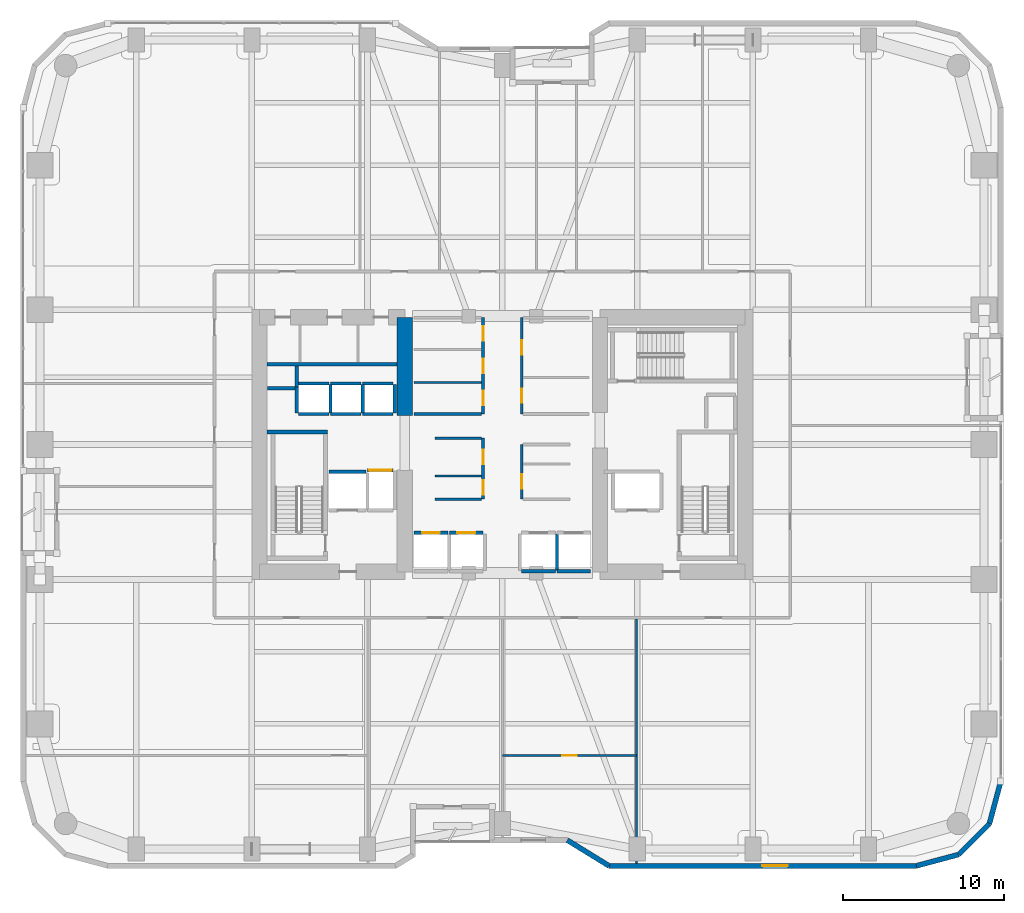
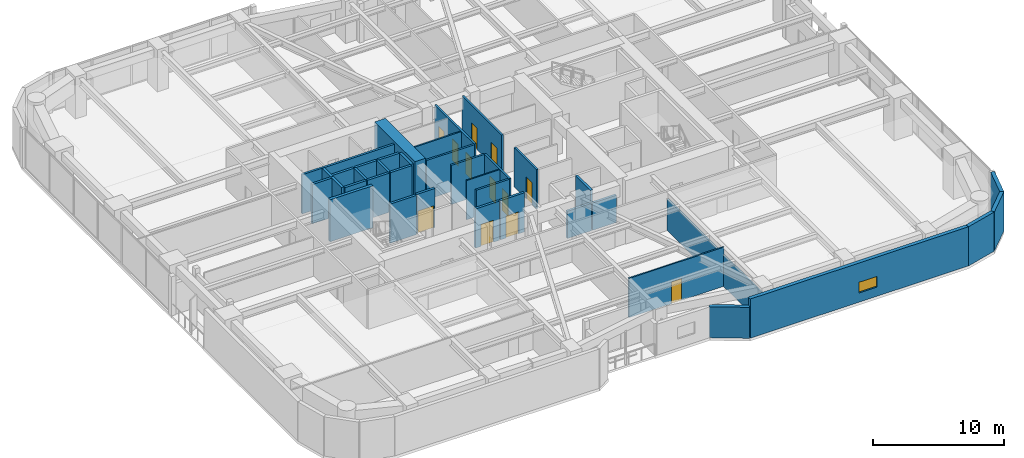
# One storey, part 23 of 28: 38 walls, 12 doors, 1 window, 13 openings.
"""IFC4 building model written with IfcOpenShell, lengths in metres."""

from ifc_helpers import new_model, si_unit, direction, frame, frame_2d, origin, place, context, subcontext, project, spatial, rectangle, extrude, material, layer, layer_set, type_object, element, fill, save


model = new_model("IFC4")

# Units and contexts
model_context = context("Model", 3, precision=1e-05, world=origin(), true_north=direction((0.0, 1.0)))
body_context = subcontext(model_context, "Body", "Model", "MODEL_VIEW")
ifc_project = project(units=[si_unit("LENGTHUNIT", "METRE"), si_unit("AREAUNIT", "SQUARE_METRE"), si_unit("VOLUMEUNIT", "CUBIC_METRE"), si_unit("PLANEANGLEUNIT", "RADIAN"), si_unit("MASSUNIT", "GRAM", prefix="KILO")], contexts=[model_context])

# Site, building, storey
site_placement = place(None, origin())
site = spatial("IfcSite", under=ifc_project, at=site_placement, CompositionType="ELEMENT")
building_placement = place(site_placement, origin())
building = spatial("IfcBuilding", under=site, at=building_placement, Name="Kiyonajd Concourse Tower", CompositionType="ELEMENT")
storey_placement = place(building_placement, frame((0.0, 0.0, 37.199951171875)))
storey = spatial("IfcBuildingStorey", under=building, at=storey_placement, Name="L10", CompositionType="ELEMENT", Elevation=37.199951171875)

# Walls
ifc_material_1 = material(Name="Concrete C80/95", Category="concrete")
ifc_layer_1 = layer(ifc_material_1, 0.949951171875)
ifc_layer_set_1 = layer_set([ifc_layer_1], Name="Concrete C80/95")
wall_type_1 = type_object("IfcWallType", Name="WL-CORE-950", PredefinedType="SHEAR", material=ifc_layer_set_1)
wall_1_placement = place(storey_placement, frame((41.925048828125, 37.800048828125, 0.0), z_axis=(0.0, 0.0, 1.0), x_axis=(0.0, 1.0, 0.0)))
element("IfcWall", 1, at=wall_1_placement, inside=storey, type_object=wall_type_1, Name="L10 West Core Inner North Shear Wall", PredefinedType="SHEAR", context=body_context, shape_type="SweptSolid", body=[
    extrude(rectangle(XDim=6.125, YDim=0.949951171875, at=frame_2d((3.0625, 0.0))), origin(), (0.0, 0.0, 1.0), 3.900146484375),
])
ifc_material_2 = material(Name="Precast concrete C50/60", Category="concrete")
ifc_layer_2 = layer(ifc_material_2, 0.320068359375)
ifc_layer_set_2 = layer_set([ifc_layer_2], Name="Precast concrete C50/60")
wall_type_2 = type_object("IfcWallType", Name="WL-EXT-320", PredefinedType="SOLIDWALL", material=ifc_layer_set_2)
wall_2_placement = place(storey_placement, frame((79.0400390625, 15.02099609375, 0.0), z_axis=(0.0, 0.0, 1.0), x_axis=(-0.25869736047, -0.965958423373, 0.0)))
element("IfcWall", 2, at=wall_2_placement, inside=storey, type_object=wall_type_2, Name="L10 Exterior Concrete Frame Wall 25", PredefinedType="SOLIDWALL", context=body_context, shape_type="SweptSolid", body=[
    extrude(rectangle(XDim=2.731201171875, YDim=0.320068359375, at=frame_2d((1.36572265625, 0.0))), origin(), (0.0, 0.0, 1.0), 3.64013671875),
])
wall_3_placement = place(storey_placement, frame((78.33349609375, 12.3828125, 0.0), z_axis=(0.0, 0.0, 1.0), x_axis=(-0.707106781187, -0.707106781187, 0.0)))
element("IfcWall", 3, at=wall_3_placement, inside=storey, type_object=wall_type_2, Name="L10 Exterior Concrete Frame Wall 26", PredefinedType="SOLIDWALL", context=body_context, shape_type="SweptSolid", body=[
    extrude(rectangle(XDim=2.7099609375, YDim=0.320068359375, at=frame_2d((1.35498046875, 0.0))), origin(), (0.0, 0.0, 1.0), 3.64013671875),
])
wall_4_placement = place(storey_placement, frame((76.417236328125, 10.466552734375, 0.0), z_axis=(0.0, 0.0, 1.0), x_axis=(-0.965964405026, -0.25867502435, 0.0)))
element("IfcWall", 4, at=wall_4_placement, inside=storey, type_object=wall_type_2, Name="L10 Exterior Concrete Frame Wall 27", PredefinedType="SOLIDWALL", context=body_context, shape_type="SweptSolid", body=[
    extrude(rectangle(XDim=2.7314453125, YDim=0.320068359375, at=frame_2d((1.36572265625, 0.0))), origin(), (0.0, 0.0, 1.0), 3.64013671875),
])

# Wall, opening, window
wall_5_placement = place(storey_placement, frame((73.77880859375, 9.760009765625, 0.0), z_axis=(0.0, 0.0, 1.0), x_axis=(-1.0, 0.0, 0.0)))
wall_5 = element("IfcWall", 5, at=wall_5_placement, inside=storey, type_object=wall_type_2, Name="L10 Exterior Concrete Frame Wall 28", PredefinedType="SOLIDWALL", context=body_context, shape_type="SweptSolid", body=[
    extrude(rectangle(XDim=19.133544921875, YDim=0.320068359375, at=frame_2d((9.56689453125, 0.0))), origin(), (0.0, 0.0, 1.0), 3.64013671875),
])
opening_1_placement = place(wall_5_placement, frame((8.00390625, 0.0, 0.85009765625)))
opening_1 = element("IfcOpeningElement", 6, at=opening_1_placement, cuts=wall_5, Name="Opening WN6", PredefinedType="OPENING", context=body_context, shape_type="SweptSolid", body=[
    extrude(rectangle(XDim=1.60009765625, YDim=1.0, at=frame_2d((0.800048828125, 0.5))), frame((0.0, 0.169921875, 0.0), z_axis=(0.0, -1.0, 0.0), x_axis=(1.0, 0.0, 0.0)), (0.0, 0.0, 1.0), 0.340087890625),
])
ifc_material_3 = material(Name="Double Low-E Insulated Glass", Category="glass")
window_type = type_object("IfcWindowType", Name="WN-VIS-1600x1000", PartitioningType="SINGLE_PANEL", PredefinedType="WINDOW", material=ifc_material_3)
window_placement = place(opening_1_placement, origin())
window = element("IfcWindow", 7, at=window_placement, inside=storey, type_object=window_type, Name="L10 Modular Facade Vision Window 28", OverallHeight=1.0, OverallWidth=1.60009765625, PartitioningType="SINGLE_PANEL", PredefinedType="WINDOW", context=body_context, shape_type="SweptSolid", body=[
    extrude(rectangle(XDim=1.60009765625, YDim=1.0, at=frame_2d((0.800048828125, 0.5))), frame((0.0, 0.030029296875, 0.0), z_axis=(0.0, -1.0, 0.0), x_axis=(1.0, 0.0, 0.0)), (0.0, 0.0, 1.0), 0.06005859375),
])
fill(opening_1, window)

# Walls
wall_6_placement = place(storey_placement, frame((54.645263671875, 9.760009765625, 0.0), z_axis=(0.0, 0.0, 1.0), x_axis=(-0.851630857047, 0.524142044989, 0.0)))
element("IfcWall", 8, at=wall_6_placement, inside=storey, type_object=wall_type_2, Name="L10 Exterior Concrete Frame Wall 29", PredefinedType="SOLIDWALL", context=body_context, shape_type="SweptSolid", body=[
    extrude(rectangle(XDim=3.052734375, YDim=0.320068359375, at=frame_2d((1.5263671875, 0.0))), origin(), (0.0, 0.0, 1.0), 2.875),
])
ifc_material_4 = material(Name="Gypsum Board on Cold-Formed Steel Stud", Category="steel")
ifc_layer_3 = layer(ifc_material_4, 0.125)
ifc_layer_set_3 = layer_set([ifc_layer_3], Name="Gypsum Board on Cold-Formed Steel Stud")
wall_type_3 = type_object("IfcWallType", Name="WL-PART-125", PredefinedType="PARTITIONING", material=ifc_layer_set_3)
wall_7_placement = place(storey_placement, frame((43.800048828125, 34.0439453125, 0.0), z_axis=(0.0, 0.0, 1.0), x_axis=(1.0, 0.0, 0.0)))
element("IfcWall", 9, at=wall_7_placement, inside=storey, type_object=wall_type_3, Name="L10 Interior Partition Wall", PredefinedType="PARTITIONING", context=body_context, shape_type="SweptSolid", body=[
    extrude(rectangle(XDim=2.912841796875, YDim=0.125, at=frame_2d((1.45654296875, 0.0))), origin(), (0.0, 0.0, 1.0), 3.64013671875),
])
wall_8_placement = place(storey_placement, frame((42.5, 39.8798828125, 0.0), z_axis=(0.0, 0.0, 1.0), x_axis=(1.0, 0.0, 0.0)))
element("IfcWall", 10, at=wall_8_placement, inside=storey, type_object=wall_type_3, Name="L10 Interior Partition Wall", PredefinedType="PARTITIONING", context=body_context, shape_type="SweptSolid", body=[
    extrude(rectangle(XDim=4.212890625, YDim=0.125, at=frame_2d((2.1064453125, 0.0))), origin(), (0.0, 0.0, 1.0), 3.64013671875),
])

# Wall, opening, door
wall_9_placement = place(storey_placement, frame((48.0, 16.6298828125, 0.0), z_axis=(0.0, 0.0, 1.0), x_axis=(1.0, 0.0, 0.0)))
wall_9 = element("IfcWall", 11, at=wall_9_placement, inside=storey, type_object=wall_type_3, Name="L10 Interior Partition Wall", PredefinedType="PARTITIONING", context=body_context, shape_type="SweptSolid", body=[
    extrude(rectangle(XDim=8.360107421875, YDim=0.125, at=frame_2d((4.18017578125, 0.0))), origin(), (0.0, 0.0, 1.0), 3.64013671875),
])
opening_2_placement = place(wall_9_placement, frame((3.72998046875, 0.0, 0.0)))
opening_2 = element("IfcOpeningElement", 12, at=opening_2_placement, cuts=wall_9, Name="Opening DI2", PredefinedType="OPENING", context=body_context, shape_type="SweptSolid", body=[
    extrude(rectangle(XDim=0.89990234375, YDim=2.02001953125, at=frame_2d((0.449951171875, 1.010009765625))), frame((0.0, 0.072509765625, 0.0), z_axis=(0.0, -1.0, 0.0), x_axis=(1.0, 0.0, 0.0)), (0.0, 0.0, 1.0), 0.14501953125),
])
ifc_material_5 = material(Name="Natural Oak Acoustic Timber Veneer", Category="wood")
door_type_1 = type_object("IfcDoorType", Name="DR-INT-900", OperationType="NOTDEFINED", PredefinedType="DOOR", material=ifc_material_5)
door_1_placement = place(opening_2_placement, origin())
door_1 = element("IfcDoor", 13, at=door_1_placement, inside=storey, type_object=door_type_1, Name="L10 Interior Door", OperationType="SINGLE_SWING_LEFT", OverallHeight=2.02001953125, OverallWidth=0.89990234375, PredefinedType="DOOR", context=body_context, shape_type="SweptSolid", body=[
    extrude(rectangle(XDim=0.89990234375, YDim=2.02001953125, at=frame_2d((0.449951171875, 1.010009765625))), frame((0.0, 0.02490234375, 0.0), z_axis=(0.0, -1.0, 0.0), x_axis=(1.0, 0.0, 0.0)), (0.0, 0.0, 1.0), 0.050048828125),
])
fill(opening_2, door_1)

# Walls
wall_10_placement = place(storey_placement, frame((56.360107421875, 9.9150390625, 0.0), z_axis=(0.0, 0.0, 1.0), x_axis=(0.0, 1.0, 0.0)))
element("IfcWall", 14, at=wall_10_placement, inside=storey, type_object=wall_type_3, Name="L10 Interior Partition Wall", PredefinedType="PARTITIONING", context=body_context, shape_type="SweptSolid", body=[
    extrude(rectangle(XDim=15.218017578125, YDim=0.125, at=frame_2d((7.60888671875, 0.0))), origin(), (0.0, 0.0, 1.0), 2.929931640625),
])
ifc_layer_4 = layer(ifc_material_4, 0.18994140625)
ifc_layer_set_4 = layer_set([ifc_layer_4], Name="Gypsum Board on Cold-Formed Steel Stud")
wall_type_4 = type_object("IfcWallType", Name="WL-PLMB-190", PredefinedType="PLUMBINGWALL", material=ifc_layer_set_4)
wall_11_placement = place(storey_placement, frame((33.35009765625, 41.0, 0.0), z_axis=(0.0, 0.0, 1.0), x_axis=(1.0, 0.0, 0.0)))
element("IfcWall", 15, at=wall_11_placement, inside=storey, type_object=wall_type_4, Name="L10 Interior Partition Wall", PredefinedType="PLUMBINGWALL", context=body_context, shape_type="SweptSolid", body=[
    extrude(rectangle(XDim=8.099853515625, YDim=0.18994140625, at=frame_2d((4.0498046875, 0.0))), origin(), (0.0, 0.0, 1.0), 3.64013671875),
])
ifc_layer_5 = layer(ifc_material_4, 0.2099609375)
ifc_layer_set_5 = layer_set([ifc_layer_5], Name="Gypsum Board on Cold-Formed Steel Stud")
wall_type_5 = type_object("IfcWallType", Name="WL-SHAFT-210", PredefinedType="PARTITIONING", material=ifc_layer_set_5)
wall_12_placement = place(storey_placement, frame((33.360107421875, 39.5, 0.0), z_axis=(0.0, 0.0, 1.0), x_axis=(1.0, 0.0, 0.0)))
element("IfcWall", 16, at=wall_12_placement, inside=storey, type_object=wall_type_5, Name="L10 Shaft Enclosure Wall", PredefinedType="PARTITIONING", context=body_context, shape_type="SweptSolid", body=[
    extrude(rectangle(XDim=1.85986328125, YDim=0.2099609375, at=frame_2d((0.929931640625, 0.0))), origin(), (0.0, 0.0, 1.0), 3.64013671875),
])
wall_13_placement = place(storey_placement, frame((35.199951171875, 39.580078125, 0.0), z_axis=(0.0, 0.0, 1.0), x_axis=(0.0, 1.0, 0.0)))
element("IfcWall", 17, at=wall_13_placement, inside=storey, type_object=wall_type_5, Name="L10 Shaft Enclosure Wall", PredefinedType="PARTITIONING", context=body_context, shape_type="SweptSolid", body=[
    extrude(rectangle(XDim=1.31982421875, YDim=0.2099609375, at=frame_2d((0.659912109375, 0.0))), origin(), (0.0, 0.0, 1.0), 3.64013671875),
])
wall_14_placement = place(storey_placement, frame((37.199951171875, 34.300048828125, 0.0), z_axis=(0.0, 0.0, 1.0), x_axis=(1.0, 0.0, 0.0)))
element("IfcWall", 18, at=wall_14_placement, inside=storey, type_object=wall_type_5, Name="L10 Shaft Enclosure Wall", PredefinedType="PARTITIONING", context=body_context, shape_type="SweptSolid", body=[
    extrude(rectangle(XDim=2.300048828125, YDim=0.2099609375, at=frame_2d((1.14990234375, 0.0))), origin(), (0.0, 0.0, 1.0), 3.64013671875),
])

# Wall, opening, door
wall_15_placement = place(storey_placement, frame((39.60009765625, 34.39990234375, 0.0), z_axis=(0.0, 0.0, 1.0), x_axis=(1.0, 0.0, 0.0)))
wall_15 = element("IfcWall", 19, at=wall_15_placement, inside=storey, type_object=wall_type_5, Name="L10 Shaft Enclosure Wall", PredefinedType="PARTITIONING", context=body_context, shape_type="SweptSolid", body=[
    extrude(rectangle(XDim=1.599853515625, YDim=0.2099609375, at=frame_2d((0.7998046875, 0.0))), origin(), (0.0, 0.0, 1.0), 3.64013671875),
])
opening_3_placement = place(wall_15_placement, frame((0.10009765625, 0.0, 0.0)))
opening_3 = element("IfcOpeningElement", 20, at=opening_3_placement, cuts=wall_15, Name="Opening LD3", PredefinedType="OPENING", context=body_context, shape_type="SweptSolid", body=[
    extrude(rectangle(XDim=1.39990234375, YDim=2.06005859375, at=frame_2d((0.699951171875, 1.030029296875))), frame((0.0, 0.114990234375, 0.0), z_axis=(0.0, -1.0, 0.0), x_axis=(1.0, 0.0, 0.0)), (0.0, 0.0, 1.0), 0.22998046875),
])
ifc_material_6 = material(Name="Brushed Stainless Steel Cab Assembly", Category="steel")
door_type_2 = type_object("IfcDoorType", Name="DR-LD-1400", OperationType="DOUBLE_DOOR_SLIDING", PredefinedType="DOOR", material=ifc_material_6)
door_2_placement = place(opening_3_placement, origin())
door_2 = element("IfcDoor", 21, at=door_2_placement, inside=storey, type_object=door_type_2, Name="L10 Lift SVL1 Sliding Landing Door", OperationType="DOUBLE_DOOR_SLIDING", OverallHeight=2.06005859375, OverallWidth=1.39990234375, PredefinedType="DOOR", context=body_context, shape_type="SweptSolid", body=[
    extrude(rectangle(XDim=1.39990234375, YDim=2.06005859375, at=frame_2d((0.699951171875, 1.030029296875))), frame((0.0, 0.02490234375, 0.0), z_axis=(0.0, -1.0, 0.0), x_axis=(1.0, 0.0, 0.0)), (0.0, 0.0, 1.0), 0.050048828125),
])
fill(opening_3, door_2)

wall_16_placement = place(storey_placement, frame((42.5, 30.5, 0.0), z_axis=(0.0, 0.0, 1.0), x_axis=(1.0, 0.0, 0.0)))
wall_16 = element("IfcWall", 22, at=wall_16_placement, inside=storey, type_object=wall_type_5, Name="L10 Shaft Enclosure Wall", PredefinedType="PARTITIONING", context=body_context, shape_type="SweptSolid", body=[
    extrude(rectangle(XDim=2.10009765625, YDim=0.2099609375, at=frame_2d((1.050048828125, 0.0))), origin(), (0.0, 0.0, 1.0), 3.64013671875),
])
opening_4_placement = place(wall_16_placement, frame((0.5, 0.0, 0.0)))
opening_4 = element("IfcOpeningElement", 23, at=opening_4_placement, cuts=wall_16, Name="Opening LD1", PredefinedType="OPENING", context=body_context, shape_type="SweptSolid", body=[
    extrude(rectangle(XDim=1.10009765625, YDim=2.0400390625, at=frame_2d((0.550048828125, 1.02001953125))), frame((0.0, 0.114990234375, 0.0), z_axis=(0.0, -1.0, 0.0), x_axis=(1.0, 0.0, 0.0)), (0.0, 0.0, 1.0), 0.22998046875),
])
door_type_3 = type_object("IfcDoorType", Name="DR-LD-1100", OperationType="DOUBLE_DOOR_SLIDING", PredefinedType="DOOR", material=ifc_material_6)
door_3_placement = place(opening_4_placement, origin())
door_3 = element("IfcDoor", 24, at=door_3_placement, inside=storey, type_object=door_type_3, Name="L10 Lift PL-L1 Sliding Landing Door", OperationType="DOUBLE_DOOR_SLIDING", OverallHeight=2.0400390625, OverallWidth=1.10009765625, PredefinedType="DOOR", context=body_context, shape_type="SweptSolid", body=[
    extrude(rectangle(XDim=1.10009765625, YDim=2.0400390625, at=frame_2d((0.550048828125, 1.02001953125))), frame((0.0, 0.02490234375, 0.0), z_axis=(0.0, -1.0, 0.0), x_axis=(1.0, 0.0, 0.0)), (0.0, 0.0, 1.0), 0.050048828125),
])
fill(opening_4, door_3)

wall_17_placement = place(storey_placement, frame((44.699951171875, 30.5, 0.0), z_axis=(0.0, 0.0, 1.0), x_axis=(1.0, 0.0, 0.0)))
wall_17 = element("IfcWall", 25, at=wall_17_placement, inside=storey, type_object=wall_type_5, Name="L10 Shaft Enclosure Wall", PredefinedType="PARTITIONING", context=body_context, shape_type="SweptSolid", body=[
    extrude(rectangle(XDim=2.10009765625, YDim=0.2099609375, at=frame_2d((1.050048828125, 0.0))), origin(), (0.0, 0.0, 1.0), 3.64013671875),
])
opening_5_placement = place(wall_17_placement, frame((0.5, 0.0, 0.0)))
opening_5 = element("IfcOpeningElement", 26, at=opening_5_placement, cuts=wall_17, Name="Opening LD1", PredefinedType="OPENING", context=body_context, shape_type="SweptSolid", body=[
    extrude(rectangle(XDim=1.10009765625, YDim=2.0400390625, at=frame_2d((0.550048828125, 1.02001953125))), frame((0.0, 0.114990234375, 0.0), z_axis=(0.0, -1.0, 0.0), x_axis=(1.0, 0.0, 0.0)), (0.0, 0.0, 1.0), 0.22998046875),
])
door_4_placement = place(opening_5_placement, origin())
door_4 = element("IfcDoor", 27, at=door_4_placement, inside=storey, type_object=door_type_3, Name="L10 Lift PL-L2 Sliding Landing Door", OperationType="DOUBLE_DOOR_SLIDING", OverallHeight=2.0400390625, OverallWidth=1.10009765625, PredefinedType="DOOR", context=body_context, shape_type="SweptSolid", body=[
    extrude(rectangle(XDim=1.10009765625, YDim=2.0400390625, at=frame_2d((0.550048828125, 1.02001953125))), frame((0.0, 0.02490234375, 0.0), z_axis=(0.0, -1.0, 0.0), x_axis=(1.0, 0.0, 0.0)), (0.0, 0.0, 1.0), 0.050048828125),
])
fill(opening_5, door_4)

# Walls
wall_18_placement = place(storey_placement, frame((49.199951171875, 28.10009765625, 0.0), z_axis=(0.0, 0.0, 1.0), x_axis=(1.0, 0.0, 0.0)))
element("IfcWall", 28, at=wall_18_placement, inside=storey, type_object=wall_type_5, Name="L10 Shaft Enclosure Wall", PredefinedType="PARTITIONING", context=body_context, shape_type="SweptSolid", body=[
    extrude(rectangle(XDim=2.10009765625, YDim=0.2099609375, at=frame_2d((1.050048828125, 0.0))), origin(), (0.0, 0.0, 1.0), 2.525146484375),
])
wall_19_placement = place(storey_placement, frame((51.39990234375, 28.159912109375, 0.0), z_axis=(0.0, 0.0, 1.0), x_axis=(0.0, 1.0, 0.0)))
element("IfcWall", 29, at=wall_19_placement, inside=storey, type_object=wall_type_5, Name="L10 Shaft Enclosure Wall", PredefinedType="PARTITIONING", context=body_context, shape_type="SweptSolid", body=[
    extrude(rectangle(XDim=2.280029296875, YDim=0.2099609375, at=frame_2d((1.14013671875, 0.0))), origin(), (0.0, 0.0, 1.0), 3.64013671875),
])
wall_20_placement = place(storey_placement, frame((51.39990234375, 28.10009765625, 0.0), z_axis=(0.0, 0.0, 1.0), x_axis=(1.0, 0.0, 0.0)))
element("IfcWall", 30, at=wall_20_placement, inside=storey, type_object=wall_type_5, Name="L10 Shaft Enclosure Wall", PredefinedType="PARTITIONING", context=body_context, shape_type="SweptSolid", body=[
    extrude(rectangle(XDim=2.10009765625, YDim=0.2099609375, at=frame_2d((1.050048828125, 0.0))), origin(), (0.0, 0.0, 1.0), 2.525146484375),
])
for number, where, z_axis, x_axis, name in (
    (31, (35.300048828125, 37.89990234375, 0.0), (0.0, 0.0, 1.0), (1.0, 0.0, 0.0), "L10 Shaft Enclosure Wall"),
    (32, (35.300048828125, 39.800048828125, 0.0), (0.0, 0.0, 1.0), (1.0, 0.0, 0.0), "L10 Shaft Enclosure Wall"),
):
    element("IfcWall", number, at=place(storey_placement, frame(where, z_axis=z_axis, x_axis=x_axis)), inside=storey, type_object=wall_type_5, Name=name, PredefinedType="PARTITIONING", context=body_context, shape_type="SweptSolid", body=[
        extrude(rectangle(XDim=1.89990234375, YDim=0.2099609375, at=frame_2d((0.949951171875, 0.0))), origin(), (0.0, 0.0, 1.0), 3.64013671875),
    ])
wall_21_placement = place(storey_placement, frame((35.199951171875, 37.9599609375, 0.0), z_axis=(0.0, 0.0, 1.0), x_axis=(0.0, 1.0, 0.0)))
element("IfcWall", 33, at=wall_21_placement, inside=storey, type_object=wall_type_5, Name="L10 Shaft Enclosure Wall", PredefinedType="PARTITIONING", context=body_context, shape_type="SweptSolid", body=[
    extrude(rectangle(XDim=1.6201171875, YDim=0.2099609375, at=frame_2d((0.81005859375, 0.0))), origin(), (0.0, 0.0, 1.0), 3.64013671875),
])
wall_22_placement = place(storey_placement, frame((37.300048828125, 37.9599609375, 0.0), z_axis=(0.0, 0.0, 1.0), x_axis=(0.0, 1.0, 0.0)))
element("IfcWall", 34, at=wall_22_placement, inside=storey, type_object=wall_type_5, Name="L10 Shaft Enclosure Wall", PredefinedType="PARTITIONING", context=body_context, shape_type="SweptSolid", body=[
    extrude(rectangle(XDim=1.780029296875, YDim=0.2099609375, at=frame_2d((0.89013671875, 0.0))), origin(), (0.0, 0.0, 1.0), 3.64013671875),
])
for number, where, z_axis, x_axis, name in (
    (35, (37.300048828125, 37.89990234375, 0.0), (0.0, 0.0, 1.0), (1.0, 0.0, 0.0), "L10 Shaft Enclosure Wall"),
    (36, (37.300048828125, 39.800048828125, 0.0), (0.0, 0.0, 1.0), (1.0, 0.0, 0.0), "L10 Shaft Enclosure Wall"),
):
    element("IfcWall", number, at=place(storey_placement, frame(where, z_axis=z_axis, x_axis=x_axis)), inside=storey, type_object=wall_type_5, Name=name, PredefinedType="PARTITIONING", context=body_context, shape_type="SweptSolid", body=[
        extrude(rectangle(XDim=1.89990234375, YDim=0.2099609375, at=frame_2d((0.949951171875, 0.0))), origin(), (0.0, 0.0, 1.0), 3.64013671875),
    ])
wall_23_placement = place(storey_placement, frame((39.300048828125, 37.9599609375, 0.0), z_axis=(0.0, 0.0, 1.0), x_axis=(0.0, 1.0, 0.0)))
element("IfcWall", 37, at=wall_23_placement, inside=storey, type_object=wall_type_5, Name="L10 Shaft Enclosure Wall", PredefinedType="PARTITIONING", context=body_context, shape_type="SweptSolid", body=[
    extrude(rectangle(XDim=1.780029296875, YDim=0.2099609375, at=frame_2d((0.89013671875, 0.0))), origin(), (0.0, 0.0, 1.0), 3.64013671875),
])
for number, where, z_axis, x_axis, name in (
    (38, (39.300048828125, 37.89990234375, 0.0), (0.0, 0.0, 1.0), (1.0, 0.0, 0.0), "L10 Shaft Enclosure Wall"),
    (39, (39.300048828125, 39.800048828125, 0.0), (0.0, 0.0, 1.0), (1.0, 0.0, 0.0), "L10 Shaft Enclosure Wall"),
):
    element("IfcWall", number, at=place(storey_placement, frame(where, z_axis=z_axis, x_axis=x_axis)), inside=storey, type_object=wall_type_5, Name=name, PredefinedType="PARTITIONING", context=body_context, shape_type="SweptSolid", body=[
        extrude(rectangle(XDim=1.89990234375, YDim=0.2099609375, at=frame_2d((0.949951171875, 0.0))), origin(), (0.0, 0.0, 1.0), 3.64013671875),
    ])
wall_24_placement = place(storey_placement, frame((41.300048828125, 37.9599609375, 0.0), z_axis=(0.0, 0.0, 1.0), x_axis=(0.0, 1.0, 0.0)))
element("IfcWall", 40, at=wall_24_placement, inside=storey, type_object=wall_type_5, Name="L10 Shaft Enclosure Wall", PredefinedType="PARTITIONING", context=body_context, shape_type="SweptSolid", body=[
    extrude(rectangle(XDim=1.780029296875, YDim=0.2099609375, at=frame_2d((0.89013671875, 0.0))), origin(), (0.0, 0.0, 1.0), 3.64013671875),
])

# Wall, openings, doors
ifc_layer_6 = layer(ifc_material_4, 0.169921875)
ifc_layer_set_6 = layer_set([ifc_layer_6], Name="Gypsum Board on Cold-Formed Steel Stud")
wall_type_6 = type_object("IfcWallType", Name="WL-SMK-170", PredefinedType="PARTITIONING", material=ifc_layer_set_6)
wall_25_placement = place(storey_placement, frame((46.800048828125, 32.60009765625, 0.0), z_axis=(0.0, 0.0, 1.0), x_axis=(0.0, 1.0, 0.0)))
wall_25 = element("IfcWall", 41, at=wall_25_placement, inside=storey, type_object=wall_type_6, Name="L10 Interior Partition Wall", PredefinedType="PARTITIONING", context=body_context, shape_type="SweptSolid", body=[
    extrude(rectangle(XDim=3.7998046875, YDim=0.169921875, at=frame_2d((1.89990234375, 0.0))), origin(), (0.0, 0.0, 1.0), 3.64013671875),
])
opening_6_placement = place(wall_25_placement, frame((0.27197265625, 0.0, 0.0)))
opening_6 = element("IfcOpeningElement", 42, at=opening_6_placement, cuts=wall_25, Name="Opening DI2", PredefinedType="OPENING", context=body_context, shape_type="SweptSolid", body=[
    extrude(rectangle(XDim=0.89990234375, YDim=2.02001953125, at=frame_2d((0.449951171875, 1.010009765625))), frame((0.0, 0.094970703125, 0.0), z_axis=(0.0, -1.0, 0.0), x_axis=(1.0, 0.0, 0.0)), (0.0, 0.0, 1.0), 0.18994140625),
])
opening_7_placement = place(wall_25_placement, frame((2.172119140625, 0.0, 0.0)))
opening_7 = element("IfcOpeningElement", 43, at=opening_7_placement, cuts=wall_25, Name="Opening DI2", PredefinedType="OPENING", context=body_context, shape_type="SweptSolid", body=[
    extrude(rectangle(XDim=0.89990234375, YDim=2.02001953125, at=frame_2d((0.449951171875, 1.010009765625))), frame((0.0, 0.094970703125, 0.0), z_axis=(0.0, -1.0, 0.0), x_axis=(1.0, 0.0, 0.0)), (0.0, 0.0, 1.0), 0.18994140625),
])
door_5_placement = place(opening_6_placement, origin())
door_5 = element("IfcDoor", 44, at=door_5_placement, inside=storey, type_object=door_type_1, Name="L10 Interior Door", OperationType="SINGLE_SWING_RIGHT", OverallHeight=2.02001953125, OverallWidth=0.89990234375, PredefinedType="DOOR", context=body_context, shape_type="SweptSolid", body=[
    extrude(rectangle(XDim=0.89990234375, YDim=2.02001953125, at=frame_2d((0.449951171875, 1.010009765625))), frame((0.0, 0.02490234375, 0.0), z_axis=(0.0, -1.0, 0.0), x_axis=(1.0, 0.0, 0.0)), (0.0, 0.0, 1.0), 0.050048828125),
])
fill(opening_6, door_5)
door_6_placement = place(opening_7_placement, origin())
door_6 = element("IfcDoor", 45, at=door_6_placement, inside=storey, type_object=door_type_1, Name="L10 Interior Door", OperationType="SINGLE_SWING_LEFT", OverallHeight=2.02001953125, OverallWidth=0.89990234375, PredefinedType="DOOR", context=body_context, shape_type="SweptSolid", body=[
    extrude(rectangle(XDim=0.89990234375, YDim=2.02001953125, at=frame_2d((0.449951171875, 1.010009765625))), frame((0.0, 0.02490234375, 0.0), z_axis=(0.0, -1.0, 0.0), x_axis=(1.0, 0.0, 0.0)), (0.0, 0.0, 1.0), 0.050048828125),
])
fill(opening_7, door_6)

# Walls
for number, where, z_axis, x_axis, name in (
    (46, (43.800048828125, 32.60009765625, 0.0), (0.0, 0.0, 1.0), (1.0, 0.0, 0.0), "L10 Interior Partition Wall"),
    (47, (43.800048828125, 36.39990234375, 0.0), (0.0, 0.0, 1.0), (1.0, 0.0, 0.0), "L10 Interior Partition Wall"),
):
    element("IfcWall", number, at=place(storey_placement, frame(where, z_axis=z_axis, x_axis=x_axis)), inside=storey, type_object=wall_type_6, Name=name, PredefinedType="PARTITIONING", context=body_context, shape_type="SweptSolid", body=[
        extrude(rectangle(XDim=2.912841796875, YDim=0.169921875, at=frame_2d((1.45654296875, 0.0))), origin(), (0.0, 0.0, 1.0), 3.64013671875),
    ])

# Wall, opening, door
wall_26_placement = place(storey_placement, frame((49.199951171875, 32.60009765625, 0.0), z_axis=(0.0, 0.0, 1.0), x_axis=(0.0, 1.0, 0.0)))
wall_26 = element("IfcWall", 48, at=wall_26_placement, inside=storey, type_object=wall_type_6, Name="L10 Interior Partition Wall", PredefinedType="PARTITIONING", context=body_context, shape_type="SweptSolid", body=[
    extrude(rectangle(XDim=3.39990234375, YDim=0.169921875, at=frame_2d((1.699951171875, 0.0))), origin(), (0.0, 0.0, 1.0), 3.64013671875),
])
opening_8_placement = place(wall_26_placement, frame((0.637939453125, 0.0, 0.0)))
opening_8 = element("IfcOpeningElement", 49, at=opening_8_placement, cuts=wall_26, Name="Opening DF4", PredefinedType="OPENING", context=body_context, shape_type="SweptSolid", body=[
    extrude(rectangle(XDim=0.89990234375, YDim=2.02001953125, at=frame_2d((0.449951171875, 1.010009765625))), frame((0.0, 0.094970703125, 0.0), z_axis=(0.0, -1.0, 0.0), x_axis=(1.0, 0.0, 0.0)), (0.0, 0.0, 1.0), 0.18994140625),
])
door_type_4 = type_object("IfcDoorType", Name="DR-FD60-900", OperationType="NOTDEFINED", PredefinedType="DOOR", material=ifc_material_6)
door_7_placement = place(opening_8_placement, origin())
door_7 = element("IfcDoor", 50, at=door_7_placement, inside=storey, type_object=door_type_4, Name="L10 Interior Door", OperationType="SINGLE_SWING_RIGHT", OverallHeight=2.02001953125, OverallWidth=0.89990234375, PredefinedType="DOOR", context=body_context, shape_type="SweptSolid", body=[
    extrude(rectangle(XDim=0.89990234375, YDim=2.02001953125, at=frame_2d((0.449951171875, 1.010009765625))), frame((0.0, 0.02490234375, 0.0), z_axis=(0.0, -1.0, 0.0), x_axis=(1.0, 0.0, 0.0)), (0.0, 0.0, 1.0), 0.050048828125),
])
fill(opening_8, door_7)

# Wall, openings, doors
wall_27_placement = place(storey_placement, frame((46.800048828125, 37.89990234375, 0.0), z_axis=(0.0, 0.0, 1.0), x_axis=(0.0, 1.0, 0.0)))
wall_27 = element("IfcWall", 51, at=wall_27_placement, inside=storey, type_object=wall_type_6, Name="L10 Interior Partition Wall", PredefinedType="PARTITIONING", context=body_context, shape_type="SweptSolid", body=[
    extrude(rectangle(XDim=6.0, YDim=0.169921875, at=frame_2d((3.0, 0.0))), origin(), (0.0, 0.0, 1.0), 3.64013671875),
])
opening_9_placement = place(wall_27_placement, frame((0.5400390625, 0.0, 0.0)))
opening_9 = element("IfcOpeningElement", 52, at=opening_9_placement, cuts=wall_27, Name="Opening DI2", PredefinedType="OPENING", context=body_context, shape_type="SweptSolid", body=[
    extrude(rectangle(XDim=0.89990234375, YDim=2.02001953125, at=frame_2d((0.449951171875, 1.010009765625))), frame((0.0, 0.094970703125, 0.0), z_axis=(0.0, -1.0, 0.0), x_axis=(1.0, 0.0, 0.0)), (0.0, 0.0, 1.0), 0.18994140625),
])
opening_10_placement = place(wall_27_placement, frame((2.550048828125, 0.0, 0.0)))
opening_10 = element("IfcOpeningElement", 53, at=opening_10_placement, cuts=wall_27, Name="Opening DI2", PredefinedType="OPENING", context=body_context, shape_type="SweptSolid", body=[
    extrude(rectangle(XDim=0.89990234375, YDim=2.02001953125, at=frame_2d((0.449951171875, 1.010009765625))), frame((0.0, 0.094970703125, 0.0), z_axis=(0.0, -1.0, 0.0), x_axis=(1.0, 0.0, 0.0)), (0.0, 0.0, 1.0), 0.18994140625),
])
opening_11_placement = place(wall_27_placement, frame((4.56005859375, 0.0, 0.0)))
opening_11 = element("IfcOpeningElement", 54, at=opening_11_placement, cuts=wall_27, Name="Opening DI2", PredefinedType="OPENING", context=body_context, shape_type="SweptSolid", body=[
    extrude(rectangle(XDim=0.89990234375, YDim=2.02001953125, at=frame_2d((0.449951171875, 1.010009765625))), frame((0.0, 0.094970703125, 0.0), z_axis=(0.0, -1.0, 0.0), x_axis=(1.0, 0.0, 0.0)), (0.0, 0.0, 1.0), 0.18994140625),
])
door_8_placement = place(opening_9_placement, origin())
door_8 = element("IfcDoor", 55, at=door_8_placement, inside=storey, type_object=door_type_1, Name="L10 Interior Door", OperationType="SINGLE_SWING_LEFT", OverallHeight=2.02001953125, OverallWidth=0.89990234375, PredefinedType="DOOR", context=body_context, shape_type="SweptSolid", body=[
    extrude(rectangle(XDim=0.89990234375, YDim=2.02001953125, at=frame_2d((0.449951171875, 1.010009765625))), frame((0.0, 0.02490234375, 0.0), z_axis=(0.0, -1.0, 0.0), x_axis=(1.0, 0.0, 0.0)), (0.0, 0.0, 1.0), 0.050048828125),
])
fill(opening_9, door_8)
door_9_placement = place(opening_10_placement, origin())
door_9 = element("IfcDoor", 56, at=door_9_placement, inside=storey, type_object=door_type_1, Name="L10 Interior Door", OperationType="SINGLE_SWING_RIGHT", OverallHeight=2.02001953125, OverallWidth=0.89990234375, PredefinedType="DOOR", context=body_context, shape_type="SweptSolid", body=[
    extrude(rectangle(XDim=0.89990234375, YDim=2.02001953125, at=frame_2d((0.449951171875, 1.010009765625))), frame((0.0, 0.02490234375, 0.0), z_axis=(0.0, -1.0, 0.0), x_axis=(1.0, 0.0, 0.0)), (0.0, 0.0, 1.0), 0.050048828125),
])
fill(opening_10, door_9)
door_10_placement = place(opening_11_placement, origin())
door_10 = element("IfcDoor", 57, at=door_10_placement, inside=storey, type_object=door_type_1, Name="L10 Interior Door", OperationType="SINGLE_SWING_LEFT", OverallHeight=2.02001953125, OverallWidth=0.89990234375, PredefinedType="DOOR", context=body_context, shape_type="SweptSolid", body=[
    extrude(rectangle(XDim=0.89990234375, YDim=2.02001953125, at=frame_2d((0.449951171875, 1.010009765625))), frame((0.0, 0.02490234375, 0.0), z_axis=(0.0, -1.0, 0.0), x_axis=(1.0, 0.0, 0.0)), (0.0, 0.0, 1.0), 0.050048828125),
])
fill(opening_11, door_10)

# Wall
wall_28_placement = place(storey_placement, frame((42.5, 37.89990234375, 0.0), z_axis=(0.0, 0.0, 1.0), x_axis=(1.0, 0.0, 0.0)))
element("IfcWall", 58, at=wall_28_placement, inside=storey, type_object=wall_type_6, Name="L10 Interior Partition Wall", PredefinedType="PARTITIONING", context=body_context, shape_type="SweptSolid", body=[
    extrude(rectangle(XDim=4.212890625, YDim=0.169921875, at=frame_2d((2.1064453125, 0.0))), origin(), (0.0, 0.0, 1.0), 3.64013671875),
])

# Wall, openings, doors
wall_29_placement = place(storey_placement, frame((49.199951171875, 37.89990234375, 0.0), z_axis=(0.0, 0.0, 1.0), x_axis=(0.0, 1.0, 0.0)))
wall_29 = element("IfcWall", 59, at=wall_29_placement, inside=storey, type_object=wall_type_6, Name="L10 Interior Partition Wall", PredefinedType="PARTITIONING", context=body_context, shape_type="SweptSolid", body=[
    extrude(rectangle(XDim=6.0, YDim=0.169921875, at=frame_2d((3.0, 0.0))), origin(), (0.0, 0.0, 1.0), 3.64013671875),
])
opening_12_placement = place(wall_29_placement, frame((0.68994140625, 0.0, 0.0)))
opening_12 = element("IfcOpeningElement", 60, at=opening_12_placement, cuts=wall_29, Name="Opening DI2", PredefinedType="OPENING", context=body_context, shape_type="SweptSolid", body=[
    extrude(rectangle(XDim=0.89990234375, YDim=2.02001953125, at=frame_2d((0.449951171875, 1.010009765625))), frame((0.0, 0.094970703125, 0.0), z_axis=(0.0, -1.0, 0.0), x_axis=(1.0, 0.0, 0.0)), (0.0, 0.0, 1.0), 0.18994140625),
])
opening_13_placement = place(wall_29_placement, frame((3.68994140625, 0.0, 0.0)))
opening_13 = element("IfcOpeningElement", 61, at=opening_13_placement, cuts=wall_29, Name="Opening DI2", PredefinedType="OPENING", context=body_context, shape_type="SweptSolid", body=[
    extrude(rectangle(XDim=0.89990234375, YDim=2.02001953125, at=frame_2d((0.449951171875, 1.010009765625))), frame((0.0, 0.094970703125, 0.0), z_axis=(0.0, -1.0, 0.0), x_axis=(1.0, 0.0, 0.0)), (0.0, 0.0, 1.0), 0.18994140625),
])
door_11_placement = place(opening_12_placement, origin())
door_11 = element("IfcDoor", 62, at=door_11_placement, inside=storey, type_object=door_type_1, Name="L10 Interior Door", OperationType="SINGLE_SWING_RIGHT", OverallHeight=2.02001953125, OverallWidth=0.89990234375, PredefinedType="DOOR", context=body_context, shape_type="SweptSolid", body=[
    extrude(rectangle(XDim=0.89990234375, YDim=2.02001953125, at=frame_2d((0.449951171875, 1.010009765625))), frame((0.0, 0.02490234375, 0.0), z_axis=(0.0, -1.0, 0.0), x_axis=(1.0, 0.0, 0.0)), (0.0, 0.0, 1.0), 0.050048828125),
])
fill(opening_12, door_11)
door_12_placement = place(opening_13_placement, origin())
door_12 = element("IfcDoor", 63, at=door_12_placement, inside=storey, type_object=door_type_1, Name="L10 Interior Door", OperationType="SINGLE_SWING_LEFT", OverallHeight=2.02001953125, OverallWidth=0.89990234375, PredefinedType="DOOR", context=body_context, shape_type="SweptSolid", body=[
    extrude(rectangle(XDim=0.89990234375, YDim=2.02001953125, at=frame_2d((0.449951171875, 1.010009765625))), frame((0.0, 0.02490234375, 0.0), z_axis=(0.0, -1.0, 0.0), x_axis=(1.0, 0.0, 0.0)), (0.0, 0.0, 1.0), 0.050048828125),
])
fill(opening_13, door_12)

# Wall
ifc_material_7 = material(Name="Concrete C50/60", Category="concrete")
ifc_layer_7 = layer(ifc_material_7, 0.260009765625)
ifc_layer_set_7 = layer_set([ifc_layer_7], Name="Concrete C50/60")
wall_type_7 = type_object("IfcWallType", Name="WL-STAIR-260", PredefinedType="SHEAR", material=ifc_layer_set_7)
wall_30_placement = place(storey_placement, frame((33.35009765625, 36.780029296875, 0.0), z_axis=(0.0, 0.0, 1.0), x_axis=(1.0, 0.0, 0.0)))
element("IfcWall", 64, at=wall_30_placement, inside=storey, type_object=wall_type_7, Name="L10 Stair ST1 Structural North Wall", PredefinedType="SHEAR", context=body_context, shape_type="SweptSolid", body=[
    extrude(rectangle(XDim=3.760009765625, YDim=0.260009765625, at=frame_2d((1.8798828125, 0.0))), origin(), (0.0, 0.0, 1.0), 3.900146484375),
])

save(model, "model.ifc")
